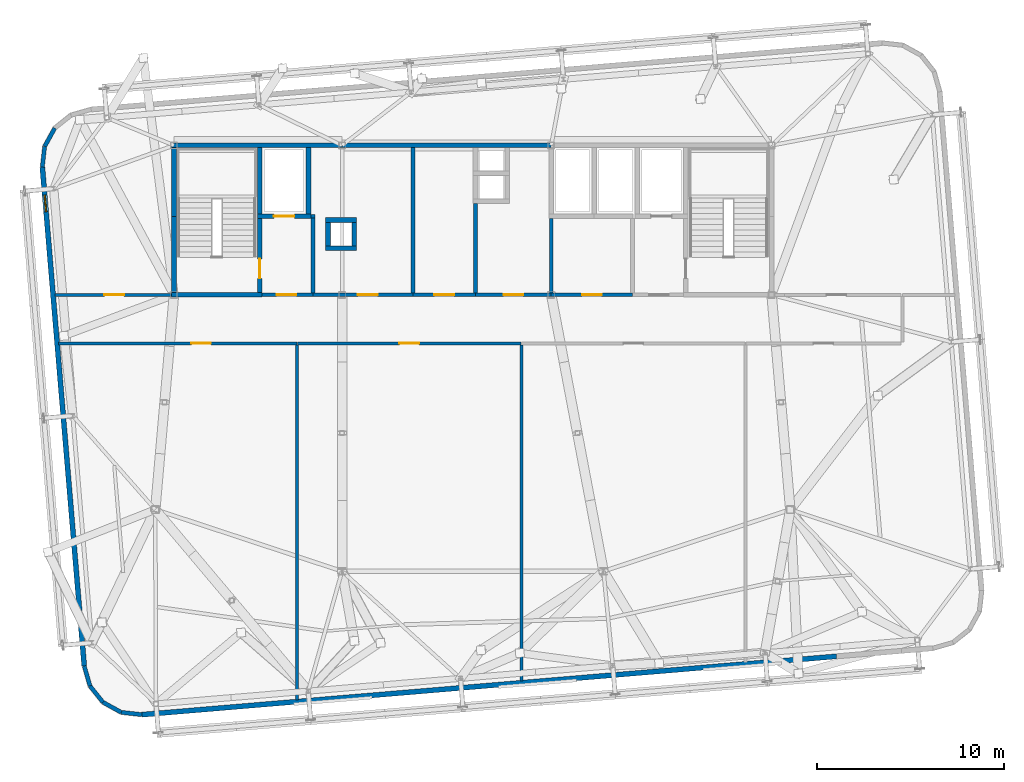
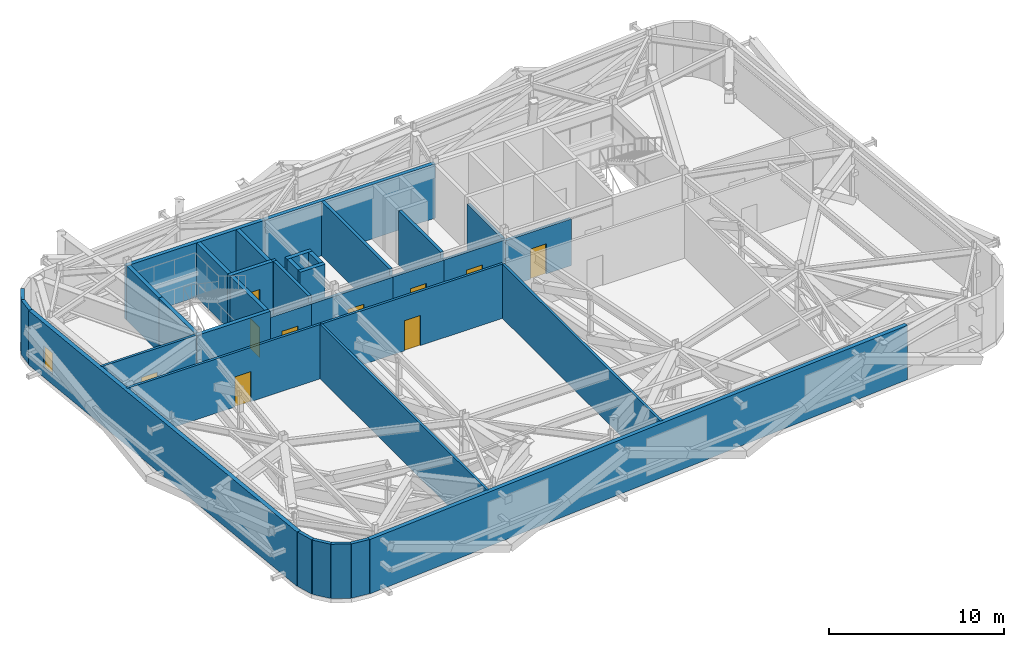
# One storey, part 23 of 26: 36 walls, 10 doors, 1 window, 11 openings.
"""IFC4 building model written with IfcOpenShell, lengths in metres."""

from ifc_helpers import new_model, si_unit, direction, frame, frame_2d, origin, place, context, subcontext, project, spatial, rectangle, extrude, source, transform, mapped, material, layer, layer_set, type_object, element, fill, save


model = new_model("IFC4")

# Units and contexts
model_context = context("Model", 3, precision=1e-05, world=origin(), true_north=direction((0.0, 1.0)))
body_context = subcontext(model_context, "Body", "Model", "MODEL_VIEW")
ifc_project = project(units=[si_unit("LENGTHUNIT", "METRE"), si_unit("AREAUNIT", "SQUARE_METRE"), si_unit("VOLUMEUNIT", "CUBIC_METRE"), si_unit("PLANEANGLEUNIT", "RADIAN"), si_unit("MASSUNIT", "GRAM", prefix="KILO")], contexts=[model_context])

# Site, building, storey
site_placement = place(None, origin())
site = spatial("IfcSite", under=ifc_project, at=site_placement, CompositionType="ELEMENT")
building_placement = place(site_placement, origin())
building = spatial("IfcBuilding", under=site, at=building_placement, Name="Taldren Reach Tower", CompositionType="ELEMENT")
storey_placement = place(building_placement, frame((0.0, 0.0, 207.199951171875)))
storey = spatial("IfcBuildingStorey", under=building, at=storey_placement, Name="L63", CompositionType="ELEMENT", Elevation=207.199951171875)

# Walls
ifc_material_1 = material(Name="Pale Champagne Anodised Aluminium Cladding", Category="aluminium")
ifc_layer_1 = layer(ifc_material_1, 0.04, Name="Pale Champagne Anodised Aluminium Cladding", Category="aluminium")
ifc_material_2 = material(Name="Mineral Wool Acoustic Insulation", Category="insulation")
ifc_layer_2 = layer(ifc_material_2, 0.06, Name="Mineral Wool Acoustic Insulation", Category="insulation")
ifc_material_3 = material(Name="Steel Gr 350 (C350L0)", Category="steel")
ifc_layer_3 = layer(ifc_material_3, 0.12, Name="Steel Gr 350 (C350L0)", Category="steel")
ifc_layer_set_1 = layer_set([ifc_layer_1, ifc_layer_2, ifc_layer_3], Name="Pale Champagne Aluminium Cladding and Steel Gr 350 Stud Framing")
wall_type_1 = type_object("IfcWallType", Name="EW-CRN-220", PredefinedType="SOLIDWALL", material=ifc_layer_set_1)
shared_shape_1 = source(origin(), body_context, "Body", "SweptSolid", [
    extrude(rectangle(XDim=1.115966796875, YDim=0.219970703125, at=frame_2d((0.55810546875, 0.0))), origin(), (0.0, 0.0, 1.0), 3.780029296875),
])
for number, where, z_axis, x_axis, name in (
    (1, (12.618896484375, 32.9208984375, 0.0), (0.0, 0.0, 1.0), (-0.484100585842, -0.875012355791, 0.0), "Rounded-corner pale-metal facade wall L63-NW3"),
    (2, (12.07861328125, 31.9443359375, 0.0), (0.0, 0.0, 1.0), (-0.112232247342, -0.993682002784, 0.0), "Rounded-corner pale-metal facade wall L63-NW4"),
    (3, (14.19580078125, 4.129638671875, 0.0), (0.0, 0.0, 1.0), (0.276512002475, -0.961010464297, 0.0), "Rounded-corner pale-metal facade wall L63-SW1"),
    (4, (14.50439453125, 3.05712890625, 0.0), (0.0, 0.0, 1.0), (0.623092886403, -0.782147847222, 0.0), "Rounded-corner pale-metal facade wall L63-SW2"),
    (5, (15.19970703125, 2.184326171875, 0.0), (0.0, 0.0, 1.0), (0.875105012065, -0.483933071672, 0.0), "Rounded-corner pale-metal facade wall L63-SW3"),
    (6, (16.17626953125, 1.644287109375, 0.0), (0.0, 0.0, 1.0), (0.993657581277, -0.112448259968, 0.0), "Rounded-corner pale-metal facade wall L63-SW4"),
):
    element("IfcWall", number, at=place(storey_placement, frame(where, z_axis=z_axis, x_axis=x_axis)), inside=storey, type_object=wall_type_1, Name=name, PredefinedType="SOLIDWALL", context=body_context, shape_type="MappedRepresentation", body=[
        mapped(shared_shape_1, transform((0.0, 0.0, 0.0), scale=1.0)),
    ])
ifc_material_4 = material(Name="Perforated Anodised Aluminium Acoustic Liner", Category="aluminium")
ifc_layer_4 = layer(ifc_material_4, 0.04, Name="Perforated Anodised Aluminium Acoustic Liner", Category="aluminium")
ifc_layer_5 = layer(ifc_material_2, 0.08, Name="Mineral Wool Acoustic Insulation", Category="insulation")
ifc_layer_6 = layer(ifc_material_3, 0.15, Name="Steel Gr 350 (C350L0)", Category="steel")
ifc_layer_set_2 = layer_set([ifc_layer_4, ifc_layer_5, ifc_layer_6], Name="Perforated Anodised Aluminium Liner and Steel Gr 350 Stud Framing")
wall_type_2 = type_object("IfcWallType", Name="EW-PLT-270", PredefinedType="SOLIDWALL", material=ifc_layer_set_2)
shared_shape_2 = source(origin(), body_context, "Body", "SweptSolid", [
    extrude(rectangle(XDim=37.322509765625, YDim=0.27001953125, at=frame_2d((18.6611328125, 0.0))), origin(), (0.0, 0.0, 1.0), 3.780029296875),
])
wall_1_placement = place(storey_placement, frame((17.28515625, 1.518798828125, 0.0), z_axis=(0.0, 0.0, 1.0), x_axis=(0.99649291123, 0.083677224315, 0.0)))
element("IfcWall", 7, at=wall_1_placement, inside=storey, type_object=wall_type_2, Name="Plant floor perimeter enclosure wall L63-S", PredefinedType="SOLIDWALL", context=body_context, shape_type="MappedRepresentation", body=[
    mapped(shared_shape_2, transform((0.0, 0.0, 0.0), scale=1.0)),
])

# Wall, opening, window
shared_shape_3 = source(origin(), body_context, "Body", "SweptSolid", [
    extrude(rectangle(XDim=26.7998046875, YDim=0.27001953125, at=frame_2d((13.39990234375, 0.0))), origin(), (0.0, 0.0, 1.0), 3.780029296875),
])
wall_2_placement = place(storey_placement, frame((11.953369140625, 30.83544921875, 0.0), z_axis=(0.0, 0.0, 1.0), x_axis=(0.083673473834, -0.996493226157, 0.0)))
wall_2 = element("IfcWall", 8, at=wall_2_placement, inside=storey, type_object=wall_type_2, Name="Plant floor perimeter enclosure wall L63-W", PredefinedType="SOLIDWALL", context=body_context, shape_type="MappedRepresentation", body=[
    mapped(shared_shape_3, transform((0.0, 0.0, 0.0), scale=1.0)),
])
shared_shape_4 = source(origin(), body_context, "Body", "SweptSolid", [
    extrude(rectangle(XDim=0.89990234375, YDim=1.5, at=frame_2d((0.449951171875, 0.75))), frame((0.0, 0.14501953125, 0.0), z_axis=(0.0, -1.0, 0.0), x_axis=(1.0, 0.0, 0.0)), (0.0, 0.0, 1.0), 0.2900390625),
])
opening_1_placement = place(wall_2_placement, frame((1.5, 0.0, 0.699951171875)))
opening_1 = element("IfcOpeningElement", 9, at=opening_1_placement, cuts=wall_2, Name="Opening W-0915", PredefinedType="OPENING", context=body_context, shape_type="MappedRepresentation", body=[
    mapped(shared_shape_4, transform((0.0, 0.0, 0.0), scale=1.0)),
])
ifc_material_5 = material(Name="Thermally Broken Aluminium and Low-E IGU", Category="aluminium")
window_type = type_object("IfcWindowType", Name="WN-REF-0900", PartitioningType="SINGLE_PANEL", PredefinedType="WINDOW", material=ifc_material_5)
shared_shape_5 = source(origin(), body_context, "Body", "SweptSolid", [
    extrude(rectangle(XDim=0.89990234375, YDim=1.5, at=frame_2d((0.449951171875, 0.75))), frame((0.0, 0.030029296875, 0.0), z_axis=(0.0, -1.0, 0.0), x_axis=(1.0, 0.0, 0.0)), (0.0, 0.0, 1.0), 0.06005859375),
])
window_placement = place(opening_1_placement, origin())
window = element("IfcWindow", 10, at=window_placement, inside=storey, type_object=window_type, Name="Refuge area daylight window L63-2", OverallHeight=1.5, OverallWidth=0.89990234375, PartitioningType="SINGLE_PANEL", PredefinedType="WINDOW", context=body_context, shape_type="MappedRepresentation", body=[
    mapped(shared_shape_5, transform((0.0, 0.0, 0.0), scale=1.0)),
])
fill(opening_1, window)

# Wall, opening, door
ifc_material_6 = material(Name="Concrete S50 (50 MPa)", Category="concrete")
ifc_layer_7 = layer(ifc_material_6, 0.199951171875)
ifc_layer_set_3 = layer_set([ifc_layer_7], Name="Concrete S50 (50 MPa)")
wall_type_3 = type_object("IfcWallType", Name="IW-CORE-200", PredefinedType="SOLIDWALL", material=ifc_layer_set_3)
shared_shape_6 = source(origin(), body_context, "Body", "SweptSolid", [
    extrude(rectangle(XDim=4.35009765625, YDim=0.199951171875, at=frame_2d((2.175048828125, 0.0))), origin(), (0.0, 0.0, 1.0), 3.2470703125),
])
wall_3_placement = place(storey_placement, frame((43.550048828125, 24.0, 0.0), z_axis=(0.0, 0.0, 1.0), x_axis=(-1.0, 0.0, 0.0)))
wall_3 = element("IfcWall", 11, at=wall_3_placement, inside=storey, type_object=wall_type_3, Name="Rear Core Shear Wall W-INT-L63-035", PredefinedType="SOLIDWALL", context=body_context, shape_type="MappedRepresentation", body=[
    mapped(shared_shape_6, transform((0.0, 0.0, 0.0), scale=1.0)),
])
shared_shape_7 = source(origin(), body_context, "Body", "SweptSolid", [
    extrude(rectangle(XDim=1.050048828125, YDim=2.10009765625, at=frame_2d((0.52490234375, 1.050048828125))), frame((0.0, 0.10986328125, 0.0), z_axis=(0.0, -1.0, 0.0), x_axis=(1.0, 0.0, 0.0)), (0.0, 0.0, 1.0), 0.219970703125),
])
opening_2_placement = place(wall_3_placement, frame((1.64990234375, 0.0, 0.0)))
opening_2 = element("IfcOpeningElement", 12, at=opening_2_placement, cuts=wall_3, Name="Opening DF-105", PredefinedType="OPENING", context=body_context, shape_type="MappedRepresentation", body=[
    mapped(shared_shape_7, transform((0.0, 0.0, 0.0), scale=1.0)),
])
ifc_material_7 = material(Name="Fire-Rated Care and Stair Exit Door")
door_type_1 = type_object("IfcDoorType", Name="ID-FIRE-105", OperationType="NOTDEFINED", PredefinedType="DOOR", material=ifc_material_7)
shared_shape_8 = source(origin(), body_context, "Body", "SweptSolid", [
    extrude(rectangle(XDim=1.050048828125, YDim=2.10009765625, at=frame_2d((0.52490234375, 1.050048828125))), frame((0.0, 0.02490234375, 0.0), z_axis=(0.0, -1.0, 0.0), x_axis=(1.0, 0.0, 0.0)), (0.0, 0.0, 1.0), 0.050048828125),
])
door_1_placement = place(opening_2_placement, frame((1.050048828125, 0.0, 0.0), z_axis=(0.0, 0.0, 1.0), x_axis=(-1.0, 0.0, 0.0)))
door_1 = element("IfcDoor", 13, at=door_1_placement, inside=storey, type_object=door_type_1, Name="Interior Door DR-L63-008", OperationType="SINGLE_SWING_RIGHT", OverallHeight=2.10009765625, OverallWidth=1.050048828125, PredefinedType="DOOR", context=body_context, shape_type="MappedRepresentation", body=[
    mapped(shared_shape_8, transform((0.0, 0.0, 0.0), scale=1.0)),
])
fill(opening_2, door_1)

# Walls
shared_shape_9 = source(origin(), body_context, "Body", "SweptSolid", [
    extrude(rectangle(XDim=4.0, YDim=0.199951171875, at=frame_2d((2.0, 0.0))), origin(), (0.0, 0.0, 1.0), 3.780029296875),
])
wall_4_placement = place(storey_placement, frame((26.449951171875, 24.10009765625, 0.0), z_axis=(0.0, 0.0, 1.0), x_axis=(0.0, 1.0, 0.0)))
element("IfcWall", 14, at=wall_4_placement, inside=storey, type_object=wall_type_3, Name="Rear Core Shear Wall W-INT-L63-006", PredefinedType="SOLIDWALL", context=body_context, shape_type="MappedRepresentation", body=[
    mapped(shared_shape_9, transform((0.0, 0.0, 0.0), scale=1.0)),
])
ifc_material_8 = material(Name="Concrete S65 (65 MPa)", Category="concrete")
ifc_layer_8 = layer(ifc_material_8, 0.25)
ifc_layer_set_4 = layer_set([ifc_layer_8], Name="Concrete S65 (65 MPa)")
wall_type_4 = type_object("IfcWallType", Name="IW-CORE-250", PredefinedType="SHEAR", material=ifc_layer_set_4)
shared_shape_10 = source(origin(), body_context, "Body", "SweptSolid", [
    extrude(rectangle(XDim=9.125, YDim=0.25, at=frame_2d((4.5625, 0.0))), origin(), (0.0, 0.0, 1.0), 3.780029296875),
])
wall_5_placement = place(storey_placement, frame((18.875, 32.0, 0.0), z_axis=(0.0, 0.0, 1.0), x_axis=(1.0, 0.0, 0.0)))
element("IfcWall", 15, at=wall_5_placement, inside=storey, type_object=wall_type_4, Name="Rear Core Shear Wall W-CORE-L63-NORTH1", PredefinedType="SHEAR", context=body_context, shape_type="MappedRepresentation", body=[
    mapped(shared_shape_10, transform((0.0, 0.0, 0.0), scale=1.0)),
])
shared_shape_11 = source(origin(), body_context, "Body", "SweptSolid", [
    extrude(rectangle(XDim=11.199951171875, YDim=0.25, at=frame_2d((5.60009765625, 0.0))), origin(), (0.0, 0.0, 1.0), 3.780029296875),
])
wall_6_placement = place(storey_placement, frame((28.0, 32.0, 0.0), z_axis=(0.0, 0.0, 1.0), x_axis=(1.0, 0.0, 0.0)))
element("IfcWall", 16, at=wall_6_placement, inside=storey, type_object=wall_type_4, Name="Rear Core Shear Wall W-CORE-L63-NORTH2", PredefinedType="SHEAR", context=body_context, shape_type="MappedRepresentation", body=[
    mapped(shared_shape_11, transform((0.0, 0.0, 0.0), scale=1.0)),
])
shared_shape_12 = source(origin(), body_context, "Body", "SweptSolid", [
    extrude(rectangle(XDim=4.074951171875, YDim=0.25, at=frame_2d((2.03759765625, 0.0))), origin(), (0.0, 0.0, 1.0), 3.780029296875),
])
wall_7_placement = place(storey_placement, frame((19.0, 24.125, 0.0), z_axis=(0.0, 0.0, 1.0), x_axis=(0.0, 1.0, 0.0)))
element("IfcWall", 17, at=wall_7_placement, inside=storey, type_object=wall_type_4, Name="Rear Core Shear Wall W-CORE-L63-WEST1", PredefinedType="SHEAR", context=body_context, shape_type="MappedRepresentation", body=[
    mapped(shared_shape_12, transform((0.0, 0.0, 0.0), scale=1.0)),
])
shared_shape_13 = source(origin(), body_context, "Body", "SweptSolid", [
    extrude(rectangle(XDim=3.675048828125, YDim=0.25, at=frame_2d((1.83740234375, 0.0))), origin(), (0.0, 0.0, 1.0), 3.780029296875),
])
wall_8_placement = place(storey_placement, frame((19.0, 28.199951171875, 0.0), z_axis=(0.0, 0.0, 1.0), x_axis=(0.0, 1.0, 0.0)))
element("IfcWall", 18, at=wall_8_placement, inside=storey, type_object=wall_type_4, Name="Rear Core Shear Wall W-CORE-L63-WEST2", PredefinedType="SHEAR", context=body_context, shape_type="MappedRepresentation", body=[
    mapped(shared_shape_13, transform((0.0, 0.0, 0.0), scale=1.0)),
])
shared_shape_14 = source(origin(), body_context, "Body", "SweptSolid", [
    extrude(rectangle(XDim=3.550048828125, YDim=0.25, at=frame_2d((1.77490234375, 0.0))), origin(), (0.0, 0.0, 1.0), 3.780029296875),
])
for number, where, z_axis, x_axis, name in (
    (19, (23.60009765625, 28.324951171875, 0.0), (0.0, 0.0, 1.0), (0.0, 1.0, 0.0), "Rear Core Shear Wall W-INT-L63-001"),
    (20, (26.199951171875, 28.324951171875, 0.0), (0.0, 0.0, 1.0), (0.0, 1.0, 0.0), "Rear Core Shear Wall W-INT-L63-005"),
):
    element("IfcWall", number, at=place(storey_placement, frame(where, z_axis=z_axis, x_axis=x_axis)), inside=storey, type_object=wall_type_4, Name=name, PredefinedType="SHEAR", context=body_context, shape_type="MappedRepresentation", body=[
        mapped(shared_shape_14, transform((0.0, 0.0, 0.0), scale=1.0)),
    ])

# Wall, opening, door
shared_shape_15 = source(origin(), body_context, "Body", "SweptSolid", [
    extrude(rectangle(XDim=3.949951171875, YDim=0.25, at=frame_2d((1.97509765625, 0.0))), origin(), (0.0, 0.0, 1.0), 3.780029296875),
])
wall_9_placement = place(storey_placement, frame((23.60009765625, 24.125, 0.0), z_axis=(0.0, 0.0, 1.0), x_axis=(0.0, 1.0, 0.0)))
wall_9 = element("IfcWall", 21, at=wall_9_placement, inside=storey, type_object=wall_type_4, Name="Rear Core Shear Wall W-INT-L63-002", PredefinedType="SHEAR", context=body_context, shape_type="MappedRepresentation", body=[
    mapped(shared_shape_15, transform((0.0, 0.0, 0.0), scale=1.0)),
])
shared_shape_16 = source(origin(), body_context, "Body", "SweptSolid", [
    extrude(rectangle(XDim=1.050048828125, YDim=2.10009765625, at=frame_2d((0.52490234375, 1.050048828125))), frame((0.0, 0.135009765625, 0.0), z_axis=(0.0, -1.0, 0.0), x_axis=(1.0, 0.0, 0.0)), (0.0, 0.0, 1.0), 0.27001953125),
])
opening_3_placement = place(wall_9_placement, frame((0.75, 0.0, 0.0)))
opening_3 = element("IfcOpeningElement", 22, at=opening_3_placement, cuts=wall_9, Name="Opening DF-105", PredefinedType="OPENING", context=body_context, shape_type="MappedRepresentation", body=[
    mapped(shared_shape_16, transform((0.0, 0.0, 0.0), scale=1.0)),
])
door_2_placement = place(opening_3_placement, origin())
door_2 = element("IfcDoor", 23, at=door_2_placement, inside=storey, type_object=door_type_1, Name="Fire Exit Stair Door DR-L63-001", OperationType="SINGLE_SWING_LEFT", OverallHeight=2.10009765625, OverallWidth=1.050048828125, PredefinedType="DOOR", context=body_context, shape_type="MappedRepresentation", body=[
    mapped(shared_shape_8, transform((0.0, 0.0, 0.0), scale=1.0)),
])
fill(opening_3, door_2)

# Wall
shared_shape_17 = source(origin(), body_context, "Body", "SweptSolid", [
    extrude(rectangle(XDim=4.85009765625, YDim=0.25, at=frame_2d((2.425048828125, 0.0))), origin(), (0.0, 0.0, 1.0), 3.780029296875),
])
wall_10_placement = place(storey_placement, frame((18.875, 24.0, 0.0), z_axis=(0.0, 0.0, 1.0), x_axis=(1.0, 0.0, 0.0)))
element("IfcWall", 24, at=wall_10_placement, inside=storey, type_object=wall_type_4, Name="Rear Core Shear Wall W-INT-L63-003", PredefinedType="SHEAR", context=body_context, shape_type="MappedRepresentation", body=[
    mapped(shared_shape_17, transform((0.0, 0.0, 0.0), scale=1.0)),
])

# Wall, opening, door
shared_shape_18 = source(origin(), body_context, "Body", "SweptSolid", [
    extrude(rectangle(XDim=2.849853515625, YDim=0.25, at=frame_2d((1.4248046875, 0.0))), origin(), (0.0, 0.0, 1.0), 3.780029296875),
])
wall_11_placement = place(storey_placement, frame((23.47509765625, 28.199951171875, 0.0), z_axis=(0.0, 0.0, 1.0), x_axis=(1.0, 0.0, 0.0)))
wall_11 = element("IfcWall", 25, at=wall_11_placement, inside=storey, type_object=wall_type_4, Name="Rear Core Shear Wall W-INT-L63-004", PredefinedType="SHEAR", context=body_context, shape_type="MappedRepresentation", body=[
    mapped(shared_shape_18, transform((0.0, 0.0, 0.0), scale=1.0)),
])
shared_shape_19 = source(origin(), body_context, "Body", "SweptSolid", [
    extrude(rectangle(XDim=1.10009765625, YDim=2.14990234375, at=frame_2d((0.550048828125, 1.074951171875))), frame((0.0, 0.135009765625, 0.0), z_axis=(0.0, -1.0, 0.0), x_axis=(1.0, 0.0, 0.0)), (0.0, 0.0, 1.0), 0.27001953125),
])
opening_4_placement = place(wall_11_placement, frame((0.875, 0.0, 0.0)))
opening_4 = element("IfcOpeningElement", 26, at=opening_4_placement, cuts=wall_11, Name="Opening LD-FL1", PredefinedType="OPENING", context=body_context, shape_type="MappedRepresentation", body=[
    mapped(shared_shape_19, transform((0.0, 0.0, 0.0), scale=1.0)),
])
ifc_material_9 = material(Name="Stainless Steel Gr 316 Emergency Lift Landing Door", Category="steel")
door_type_2 = type_object("IfcDoorType", Name="LD-EMG-110", OperationType="SLIDING_TO_LEFT", PredefinedType="DOOR", material=ifc_material_9)
shared_shape_20 = source(origin(), body_context, "Body", "SweptSolid", [
    extrude(rectangle(XDim=1.10009765625, YDim=2.14990234375, at=frame_2d((0.550048828125, 1.074951171875))), frame((0.0, 0.02490234375, 0.0), z_axis=(0.0, -1.0, 0.0), x_axis=(1.0, 0.0, 0.0)), (0.0, 0.0, 1.0), 0.050048828125),
])
door_3_placement = place(opening_4_placement, origin())
door_3 = element("IfcDoor", 27, at=door_3_placement, inside=storey, type_object=door_type_2, Name="Lift Landing Door LD-FL1-L63", OperationType="SLIDING_TO_LEFT", OverallHeight=2.14990234375, OverallWidth=1.10009765625, PredefinedType="DOOR", context=body_context, shape_type="MappedRepresentation", body=[
    mapped(shared_shape_20, transform((0.0, 0.0, 0.0), scale=1.0)),
])
fill(opening_4, door_3)

shared_shape_21 = source(origin(), body_context, "Body", "SweptSolid", [
    extrude(rectangle(XDim=2.724853515625, YDim=0.199951171875, at=frame_2d((1.3623046875, 0.0))), origin(), (0.0, 0.0, 1.0), 3.320068359375),
])
wall_12_placement = place(storey_placement, frame((23.72509765625, 24.0, 0.0), z_axis=(0.0, 0.0, 1.0), x_axis=(1.0, 0.0, 0.0)))
wall_12 = element("IfcWall", 28, at=wall_12_placement, inside=storey, type_object=wall_type_3, Name="Rear Core Shear Wall W-INT-L63-007", PredefinedType="SOLIDWALL", context=body_context, shape_type="MappedRepresentation", body=[
    mapped(shared_shape_21, transform((0.0, 0.0, 0.0), scale=1.0)),
])
opening_5_placement = place(wall_12_placement, frame((0.77490234375, 0.0, 0.0)))
opening_5 = element("IfcOpeningElement", 29, at=opening_5_placement, cuts=wall_12, Name="Opening DF-105", PredefinedType="OPENING", context=body_context, shape_type="MappedRepresentation", body=[
    mapped(shared_shape_7, transform((0.0, 0.0, 0.0), scale=1.0)),
])
door_4_placement = place(opening_5_placement, origin())
door_4 = element("IfcDoor", 30, at=door_4_placement, inside=storey, type_object=door_type_1, Name="Interior Door DR-L63-002", OperationType="SINGLE_SWING_LEFT", OverallHeight=2.10009765625, OverallWidth=1.050048828125, PredefinedType="DOOR", context=body_context, shape_type="MappedRepresentation", body=[
    mapped(shared_shape_8, transform((0.0, 0.0, 0.0), scale=1.0)),
])
fill(opening_5, door_4)

# Walls
shared_shape_22 = source(origin(), body_context, "Body", "SweptSolid", [
    extrude(rectangle(XDim=1.25, YDim=0.25, at=frame_2d((0.625, 0.0))), origin(), (0.0, 0.0, 1.0), 3.780029296875),
])
for number, where, z_axis, x_axis, name in (
    (31, (28.64990234375, 26.625, 0.0), (0.0, 0.0, 1.0), (0.0, 1.0, 0.0), "Rear Core Shear Wall W-INT-L63-021"),
    (32, (27.25, 27.875, 0.0), (0.0, 0.0, 1.0), (0.0, -1.0, 0.0), "Rear Core Shear Wall W-INT-L63-022"),
):
    element("IfcWall", number, at=place(storey_placement, frame(where, z_axis=z_axis, x_axis=x_axis)), inside=storey, type_object=wall_type_4, Name=name, PredefinedType="SHEAR", context=body_context, shape_type="MappedRepresentation", body=[
        mapped(shared_shape_22, transform((0.0, 0.0, 0.0), scale=1.0)),
    ])
shared_shape_23 = source(origin(), body_context, "Body", "SweptSolid", [
    extrude(rectangle(XDim=1.64990234375, YDim=0.25, at=frame_2d((0.824951171875, 0.0))), origin(), (0.0, 0.0, 1.0), 3.780029296875),
])
for number, where, z_axis, x_axis, name in (
    (33, (28.77490234375, 28.0, 0.0), (0.0, 0.0, 1.0), (-1.0, 0.0, 0.0), "Rear Core Shear Wall W-INT-L63-023"),
    (34, (27.125, 26.5, 0.0), (0.0, 0.0, 1.0), (1.0, 0.0, 0.0), "Rear Core Shear Wall W-INT-L63-024"),
):
    element("IfcWall", number, at=place(storey_placement, frame(where, z_axis=z_axis, x_axis=x_axis)), inside=storey, type_object=wall_type_4, Name=name, PredefinedType="SHEAR", context=body_context, shape_type="MappedRepresentation", body=[
        mapped(shared_shape_23, transform((0.0, 0.0, 0.0), scale=1.0)),
    ])
shared_shape_24 = source(origin(), body_context, "Body", "SweptSolid", [
    extrude(rectangle(XDim=7.77490234375, YDim=0.199951171875, at=frame_2d((3.887451171875, 0.0))), origin(), (0.0, 0.0, 1.0), 3.780029296875),
])
wall_13_placement = place(storey_placement, frame((31.800048828125, 31.875, 0.0), z_axis=(0.0, 0.0, 1.0), x_axis=(0.0, -1.0, 0.0)))
element("IfcWall", 35, at=wall_13_placement, inside=storey, type_object=wall_type_3, Name="Rear Core Shear Wall W-INT-L63-025", PredefinedType="SOLIDWALL", context=body_context, shape_type="MappedRepresentation", body=[
    mapped(shared_shape_24, transform((0.0, 0.0, 0.0), scale=1.0)),
])

# Wall, opening, door
shared_shape_25 = source(origin(), body_context, "Body", "SweptSolid", [
    extrude(rectangle(XDim=5.35009765625, YDim=0.199951171875, at=frame_2d((2.675048828125, 0.0))), origin(), (0.0, 0.0, 1.0), 3.320068359375),
])
wall_14_placement = place(storey_placement, frame((31.800048828125, 24.0, 0.0), z_axis=(0.0, 0.0, 1.0), x_axis=(-1.0, 0.0, 0.0)))
wall_14 = element("IfcWall", 36, at=wall_14_placement, inside=storey, type_object=wall_type_3, Name="Rear Core Shear Wall W-INT-L63-026", PredefinedType="SOLIDWALL", context=body_context, shape_type="MappedRepresentation", body=[
    mapped(shared_shape_25, transform((0.0, 0.0, 0.0), scale=1.0)),
])
opening_6_placement = place(wall_14_placement, frame((1.89990234375, 0.0, 0.0)))
opening_6 = element("IfcOpeningElement", 37, at=opening_6_placement, cuts=wall_14, Name="Opening DF-105", PredefinedType="OPENING", context=body_context, shape_type="MappedRepresentation", body=[
    mapped(shared_shape_7, transform((0.0, 0.0, 0.0), scale=1.0)),
])
door_5_placement = place(opening_6_placement, frame((1.050048828125, 0.0, 0.0), z_axis=(0.0, 0.0, 1.0), x_axis=(-1.0, 0.0, 0.0)))
door_5 = element("IfcDoor", 38, at=door_5_placement, inside=storey, type_object=door_type_1, Name="Interior Door DR-L63-005", OperationType="SINGLE_SWING_RIGHT", OverallHeight=2.10009765625, OverallWidth=1.050048828125, PredefinedType="DOOR", context=body_context, shape_type="MappedRepresentation", body=[
    mapped(shared_shape_8, transform((0.0, 0.0, 0.0), scale=1.0)),
])
fill(opening_6, door_5)

# Wall
shared_shape_26 = source(origin(), body_context, "Body", "SweptSolid", [
    extrude(rectangle(XDim=4.77490234375, YDim=0.199951171875, at=frame_2d((2.387451171875, 0.0))), origin(), (0.0, 0.0, 1.0), 3.780029296875),
])
wall_15_placement = place(storey_placement, frame((35.14990234375, 28.875, 0.0), z_axis=(0.0, 0.0, 1.0), x_axis=(0.0, -1.0, 0.0)))
element("IfcWall", 39, at=wall_15_placement, inside=storey, type_object=wall_type_3, Name="Rear Core Shear Wall W-INT-L63-027", PredefinedType="SOLIDWALL", context=body_context, shape_type="MappedRepresentation", body=[
    mapped(shared_shape_26, transform((0.0, 0.0, 0.0), scale=1.0)),
])

# Wall, opening, door
shared_shape_27 = source(origin(), body_context, "Body", "SweptSolid", [
    extrude(rectangle(XDim=3.349853515625, YDim=0.199951171875, at=frame_2d((1.6748046875, 0.0))), origin(), (0.0, 0.0, 1.0), 3.320068359375),
])
wall_16_placement = place(storey_placement, frame((35.14990234375, 24.0, 0.0), z_axis=(0.0, 0.0, 1.0), x_axis=(-1.0, 0.0, 0.0)))
wall_16 = element("IfcWall", 40, at=wall_16_placement, inside=storey, type_object=wall_type_3, Name="Rear Core Shear Wall W-INT-L63-028", PredefinedType="SOLIDWALL", context=body_context, shape_type="MappedRepresentation", body=[
    mapped(shared_shape_27, transform((0.0, 0.0, 0.0), scale=1.0)),
])
opening_7_placement = place(wall_16_placement, frame((1.14990234375, 0.0, 0.0)))
opening_7 = element("IfcOpeningElement", 41, at=opening_7_placement, cuts=wall_16, Name="Opening DF-105", PredefinedType="OPENING", context=body_context, shape_type="MappedRepresentation", body=[
    mapped(shared_shape_7, transform((0.0, 0.0, 0.0), scale=1.0)),
])
door_6_placement = place(opening_7_placement, frame((1.050048828125, 0.0, 0.0), z_axis=(0.0, 0.0, 1.0), x_axis=(-1.0, 0.0, 0.0)))
door_6 = element("IfcDoor", 42, at=door_6_placement, inside=storey, type_object=door_type_1, Name="Interior Door DR-L63-006", OperationType="SINGLE_SWING_RIGHT", OverallHeight=2.10009765625, OverallWidth=1.050048828125, PredefinedType="DOOR", context=body_context, shape_type="MappedRepresentation", body=[
    mapped(shared_shape_8, transform((0.0, 0.0, 0.0), scale=1.0)),
])
fill(opening_7, door_6)

# Wall
shared_shape_28 = source(origin(), body_context, "Body", "SweptSolid", [
    extrude(rectangle(XDim=3.974853515625, YDim=0.199951171875, at=frame_2d((1.9873046875, 0.0))), origin(), (0.0, 0.0, 1.0), 3.320068359375),
])
wall_17_placement = place(storey_placement, frame((39.199951171875, 28.074951171875, 0.0), z_axis=(0.0, 0.0, 1.0), x_axis=(0.0, -1.0, 0.0)))
element("IfcWall", 43, at=wall_17_placement, inside=storey, type_object=wall_type_3, Name="Rear Core Shear Wall W-INT-L63-033", PredefinedType="SOLIDWALL", context=body_context, shape_type="MappedRepresentation", body=[
    mapped(shared_shape_28, transform((0.0, 0.0, 0.0), scale=1.0)),
])

# Wall, opening, door
shared_shape_29 = source(origin(), body_context, "Body", "SweptSolid", [
    extrude(rectangle(XDim=4.050048828125, YDim=0.199951171875, at=frame_2d((2.02490234375, 0.0))), origin(), (0.0, 0.0, 1.0), 3.320068359375),
])
wall_18_placement = place(storey_placement, frame((39.199951171875, 24.0, 0.0), z_axis=(0.0, 0.0, 1.0), x_axis=(-1.0, 0.0, 0.0)))
wall_18 = element("IfcWall", 44, at=wall_18_placement, inside=storey, type_object=wall_type_3, Name="Rear Core Shear Wall W-INT-L63-034", PredefinedType="SOLIDWALL", context=body_context, shape_type="MappedRepresentation", body=[
    mapped(shared_shape_29, transform((0.0, 0.0, 0.0), scale=1.0)),
])
opening_8_placement = place(wall_18_placement, frame((1.5, 0.0, 0.0)))
opening_8 = element("IfcOpeningElement", 45, at=opening_8_placement, cuts=wall_18, Name="Opening DF-105", PredefinedType="OPENING", context=body_context, shape_type="MappedRepresentation", body=[
    mapped(shared_shape_7, transform((0.0, 0.0, 0.0), scale=1.0)),
])
door_7_placement = place(opening_8_placement, frame((1.050048828125, 0.0, 0.0), z_axis=(0.0, 0.0, 1.0), x_axis=(-1.0, 0.0, 0.0)))
door_7 = element("IfcDoor", 46, at=door_7_placement, inside=storey, type_object=door_type_1, Name="Interior Door DR-L63-007", OperationType="SINGLE_SWING_LEFT", OverallHeight=2.10009765625, OverallWidth=1.050048828125, PredefinedType="DOOR", context=body_context, shape_type="MappedRepresentation", body=[
    mapped(shared_shape_8, transform((0.0, 0.0, 0.0), scale=1.0)),
])
fill(opening_8, door_7)

ifc_material_10 = material(Name="Fire-Rated Acoustic Plasterboard Stud Wall", Category="gypsum")
ifc_layer_9 = layer(ifc_material_10, 0.159912109375)
ifc_layer_set_5 = layer_set([ifc_layer_9], Name="Fire-Rated Acoustic Plasterboard Stud Wall")
wall_type_5 = type_object("IfcWallType", Name="IW-FIRE-160", PredefinedType="PARTITIONING", material=ifc_layer_set_5)
shared_shape_30 = source(origin(), body_context, "Body", "SweptSolid", [
    extrude(rectangle(XDim=6.250732421875, YDim=0.159912109375, at=frame_2d((3.12548828125, 0.0))), origin(), (0.0, 0.0, 1.0), 3.780029296875),
])
wall_19_placement = place(storey_placement, frame((12.624267578125, 24.0, 0.0), z_axis=(0.0, 0.0, 1.0), x_axis=(1.0, 0.0, 0.0)))
wall_19 = element("IfcWall", 47, at=wall_19_placement, inside=storey, type_object=wall_type_5, Name="Interior Partition Wall W-INT-L63-036", PredefinedType="PARTITIONING", context=body_context, shape_type="MappedRepresentation", body=[
    mapped(shared_shape_30, transform((0.0, 0.0, 0.0), scale=1.0)),
])
shared_shape_31 = source(origin(), body_context, "Body", "SweptSolid", [
    extrude(rectangle(XDim=1.050048828125, YDim=2.10009765625, at=frame_2d((0.52490234375, 1.050048828125))), frame((0.0, 0.08984375, 0.0), z_axis=(0.0, -1.0, 0.0), x_axis=(1.0, 0.0, 0.0)), (0.0, 0.0, 1.0), 0.179931640625),
])
opening_9_placement = place(wall_19_placement, frame((2.65283203125, 0.0, 0.0)))
opening_9 = element("IfcOpeningElement", 48, at=opening_9_placement, cuts=wall_19, Name="Opening DF-105", PredefinedType="OPENING", context=body_context, shape_type="MappedRepresentation", body=[
    mapped(shared_shape_31, transform((0.0, 0.0, 0.0), scale=1.0)),
])
door_8_placement = place(opening_9_placement, origin())
door_8 = element("IfcDoor", 49, at=door_8_placement, inside=storey, type_object=door_type_1, Name="Interior Door DR-L63-009", OperationType="SINGLE_SWING_RIGHT", OverallHeight=2.10009765625, OverallWidth=1.050048828125, PredefinedType="DOOR", context=body_context, shape_type="MappedRepresentation", body=[
    mapped(shared_shape_8, transform((0.0, 0.0, 0.0), scale=1.0)),
])
fill(opening_9, door_8)

shared_shape_32 = source(origin(), body_context, "Body", "SweptSolid", [
    extrude(rectangle(XDim=12.750732421875, YDim=0.159912109375, at=frame_2d((6.37548828125, 0.0))), origin(), (0.0, 0.0, 1.0), 3.780029296875),
])
wall_20_placement = place(storey_placement, frame((25.579833984375, 21.39990234375, 0.0), z_axis=(0.0, 0.0, 1.0), x_axis=(-1.0, 0.0, 0.0)))
wall_20 = element("IfcWall", 50, at=wall_20_placement, inside=storey, type_object=wall_type_5, Name="Interior Partition Wall W-INT-L63-038", PredefinedType="PARTITIONING", context=body_context, shape_type="MappedRepresentation", body=[
    mapped(shared_shape_32, transform((0.0, 0.0, 0.0), scale=1.0)),
])
opening_10_placement = place(wall_20_placement, frame((4.600341796875, 0.0, 0.0)))
opening_10 = element("IfcOpeningElement", 51, at=opening_10_placement, cuts=wall_20, Name="Opening DF-105", PredefinedType="OPENING", context=body_context, shape_type="MappedRepresentation", body=[
    mapped(shared_shape_31, transform((0.0, 0.0, 0.0), scale=1.0)),
])
door_9_placement = place(opening_10_placement, origin())
door_9 = element("IfcDoor", 52, at=door_9_placement, inside=storey, type_object=door_type_1, Name="Interior Door DR-L63-011", OperationType="SINGLE_SWING_LEFT", OverallHeight=2.10009765625, OverallWidth=1.050048828125, PredefinedType="DOOR", context=body_context, shape_type="MappedRepresentation", body=[
    mapped(shared_shape_8, transform((0.0, 0.0, 0.0), scale=1.0)),
])
fill(opening_10, door_9)

shared_shape_33 = source(origin(), body_context, "Body", "SweptSolid", [
    extrude(rectangle(XDim=11.959716796875, YDim=0.159912109375, at=frame_2d((5.97998046875, 0.0))), origin(), (0.0, 0.0, 1.0), 3.780029296875),
])
wall_21_placement = place(storey_placement, frame((37.579833984375, 21.39990234375, 0.0), z_axis=(0.0, 0.0, 1.0), x_axis=(-1.0, 0.0, 0.0)))
wall_21 = element("IfcWall", 53, at=wall_21_placement, inside=storey, type_object=wall_type_5, Name="Interior Partition Wall W-INT-L63-039", PredefinedType="PARTITIONING", context=body_context, shape_type="MappedRepresentation", body=[
    mapped(shared_shape_33, transform((0.0, 0.0, 0.0), scale=1.0)),
])
opening_11_placement = place(wall_21_placement, frame((5.454833984375, 0.0, 0.0)))
opening_11 = element("IfcOpeningElement", 54, at=opening_11_placement, cuts=wall_21, Name="Opening DF-105", PredefinedType="OPENING", context=body_context, shape_type="MappedRepresentation", body=[
    mapped(shared_shape_31, transform((0.0, 0.0, 0.0), scale=1.0)),
])
door_10_placement = place(opening_11_placement, origin())
door_10 = element("IfcDoor", 55, at=door_10_placement, inside=storey, type_object=door_type_1, Name="Interior Door DR-L63-012", OperationType="SINGLE_SWING_LEFT", OverallHeight=2.10009765625, OverallWidth=1.050048828125, PredefinedType="DOOR", context=body_context, shape_type="MappedRepresentation", body=[
    mapped(shared_shape_8, transform((0.0, 0.0, 0.0), scale=1.0)),
])
fill(opening_11, door_10)

# Walls
shared_shape_34 = source(origin(), body_context, "Body", "SweptSolid", [
    extrude(rectangle(XDim=19.019287109375, YDim=0.159912109375, at=frame_2d((9.509765625, 0.0))), origin(), (0.0, 0.0, 1.0), 3.780029296875),
])
wall_22_placement = place(storey_placement, frame((25.60009765625, 21.320068359375, 0.0), z_axis=(0.0, 0.0, 1.0), x_axis=(0.0, -1.0, 0.0)))
element("IfcWall", 56, at=wall_22_placement, inside=storey, type_object=wall_type_5, Name="Interior Partition Wall W-INT-L63-044", PredefinedType="PARTITIONING", context=body_context, shape_type="MappedRepresentation", body=[
    mapped(shared_shape_34, transform((0.0, 0.0, 0.0), scale=1.0)),
])
shared_shape_35 = source(origin(), body_context, "Body", "SweptSolid", [
    extrude(rectangle(XDim=18.01171875, YDim=0.159912109375, at=frame_2d((9.005859375, 0.0))), origin(), (0.0, 0.0, 1.0), 3.780029296875),
])
wall_23_placement = place(storey_placement, frame((37.60009765625, 21.320068359375, 0.0), z_axis=(0.0, 0.0, 1.0), x_axis=(0.0, -1.0, 0.0)))
element("IfcWall", 57, at=wall_23_placement, inside=storey, type_object=wall_type_5, Name="Interior Partition Wall W-INT-L63-045", PredefinedType="PARTITIONING", context=body_context, shape_type="MappedRepresentation", body=[
    mapped(shared_shape_35, transform((0.0, 0.0, 0.0), scale=1.0)),
])
shared_shape_36 = source(origin(), body_context, "Body", "SweptSolid", [
    extrude(rectangle(XDim=0.22509765625, YDim=0.199951171875, at=frame_2d((0.112548828125, 0.0))), origin(), (0.0, 0.0, 1.0), 3.780029296875),
])
wall_24_placement = place(storey_placement, frame((26.324951171875, 28.199951171875, 0.0), z_axis=(0.0, 0.0, 1.0), x_axis=(1.0, 0.0, 0.0)))
element("IfcWall", 58, at=wall_24_placement, inside=storey, type_object=wall_type_3, Name="Rear Core Partition Wall W-INT-L63-047", PredefinedType="SOLIDWALL", context=body_context, shape_type="MappedRepresentation", body=[
    mapped(shared_shape_36, transform((0.0, 0.0, 0.0), scale=1.0)),
])

save(model, "model.ifc")
